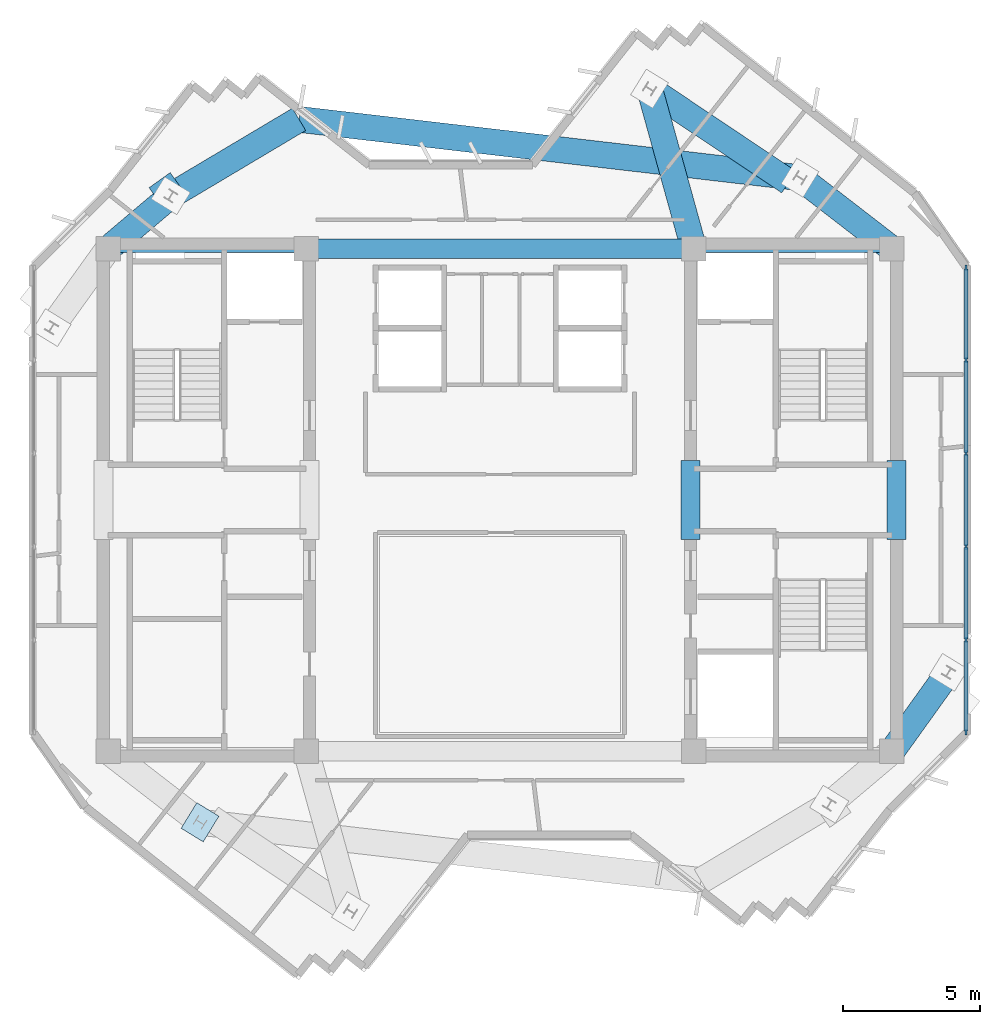
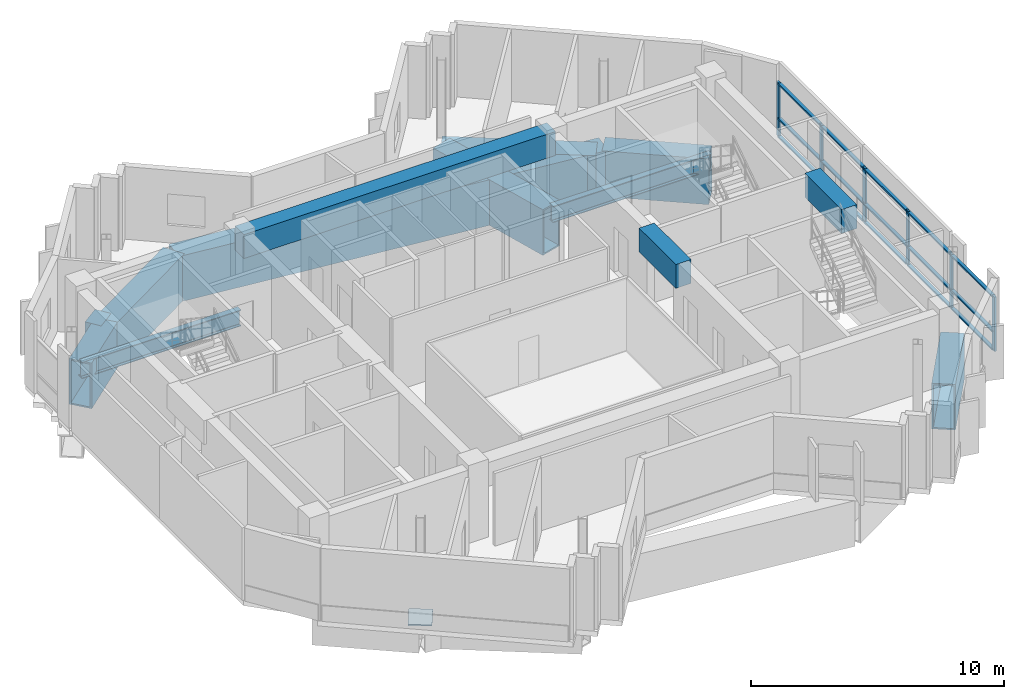
# One storey, part 3 of 10: 21 members, 13 beams, 1 plate, 1 element without a shape of its own.
"""IFC4 building model written with IfcOpenShell, lengths in metres."""

from ifc_helpers import new_model, si_unit, direction, frame, origin, origin_2d, place, context, subcontext, project, spatial, rectangle, hollow_rectangle, i_section, extrude, source, transform, mapped, material, layer, layer_set, material_profile, profile_set, type_object, element, aggregate, save


model = new_model("IFC4")

# Units and contexts
model_context = context("Model", 3, precision=1e-05, world=origin(), true_north=direction((0.0, 1.0)))
body_context = subcontext(model_context, "Body", "Model", "MODEL_VIEW")
ifc_project = project(units=[si_unit("LENGTHUNIT", "METRE"), si_unit("AREAUNIT", "SQUARE_METRE"), si_unit("VOLUMEUNIT", "CUBIC_METRE"), si_unit("PLANEANGLEUNIT", "RADIAN"), si_unit("MASSUNIT", "GRAM", prefix="KILO")], contexts=[model_context])

# Site, building, storey
site_placement = place(None, origin())
site = spatial("IfcSite", under=ifc_project, at=site_placement, CompositionType="ELEMENT")
building_placement = place(site_placement, origin())
building = spatial("IfcBuilding", under=site, at=building_placement, Name="Zahravan Cultural Tower", CompositionType="ELEMENT")
storey_placement = place(building_placement, frame((0.0, 0.0, 319.800048828125)))
storey = spatial("IfcBuildingStorey", under=building, at=storey_placement, Name="L77", CompositionType="ELEMENT", Elevation=319.800048828125)

# Beams
ifc_material_1 = material(Name="Concrete C50/60", Category="concrete")
ifc_material_profile_1 = material_profile(ifc_material_1, rectangle(XDim=0.699951171875, YDim=1.14990234375, at=origin_2d()), Name="RC700X1150")
ifc_profile_set_1 = profile_set([ifc_material_profile_1], Name="Concrete C50/60")
beam_type_1 = type_object("IfcBeamType", Name="BM-LN-RC700X1150", PredefinedType="LINTEL", material=ifc_profile_set_1)
shared_shape_1 = source(origin(), body_context, "Body", "SweptSolid", [
    extrude(rectangle(XDim=0.699951171875, YDim=1.14990234375, at=origin_2d()), origin(), (0.0, 0.0, 1.0), 14.2001953125),
])
beam_1_placement = place(storey_placement, frame((28.89990234375, 36.199951171875, 2.925048828125), z_axis=(1.0, 0.0, 0.0), x_axis=(0.0, 1.0, 0.0)))
element("IfcBeam", 1, at=beam_1_placement, inside=storey, type_object=beam_type_1, Name="L77 Beam LN-L77-N", PredefinedType="LINTEL", context=body_context, shape_type="MappedRepresentation", body=[
    mapped(shared_shape_1, transform((0.0, 0.0, 0.0), x_axis=(1.0, 0.0, 0.0), y_axis=(0.0, 1.0, 0.0), z_axis=(0.0, 0.0, 1.0), scale=1.0)),
])
shared_shape_2 = source(origin(), body_context, "Body", "SweptSolid", [
    extrude(rectangle(XDim=0.699951171875, YDim=1.14990234375, at=origin_2d()), origin(), (0.0, 0.0, 1.0), 2.89990234375),
])
for number, where, z_axis, x_axis, name in (
    (2, (42.97509765625, 25.550048828125, 2.925048828125), (0.0, 1.0, 0.0), (-1.0, 0.0, 0.0), "L77 Beam LN-L77-PEW"),
    (3, (50.52490234375, 25.550048828125, 2.925048828125), (0.0, 1.0, 0.0), (-1.0, 0.0, 0.0), "L77 Beam LN-L77-PEE"),
):
    element("IfcBeam", number, at=place(storey_placement, frame(where, z_axis=z_axis, x_axis=x_axis)), inside=storey, type_object=beam_type_1, Name=name, PredefinedType="LINTEL", context=body_context, shape_type="MappedRepresentation", body=[
        mapped(shared_shape_2, transform((0.0, 0.0, 0.0), x_axis=(1.0, 0.0, 0.0), y_axis=(0.0, 1.0, 0.0), z_axis=(0.0, 0.0, 1.0), scale=1.0)),
    ])
ifc_material_2 = material(Name="Steel ASTM A992 Grade 50", Category="steel")
ifc_material_profile_2 = material_profile(ifc_material_2, i_section(OverallWidth=0.26611328125, OverallDepth=0.780029296875, WebThickness=0.0166015625, FlangeThickness=0.030029296875, FilletRadius=0.01904296875, at=origin_2d()), Name="W30X148")
ifc_profile_set_2 = profile_set([ifc_material_profile_2], Name="Steel ASTM A992 Grade 50")
beam_type_2 = type_object("IfcBeamType", Name="BM-G-W30X148", PredefinedType="BEAM", material=ifc_profile_set_2)
shared_shape_3 = source(origin(), body_context, "Body", "SweptSolid", [
    extrude(i_section(OverallWidth=0.26611328125, OverallDepth=0.780029296875, WebThickness=0.0166015625, FlangeThickness=0.030029296875, FilletRadius=0.01904296875, at=origin_2d()), origin(), (0.0, 0.0, 1.0), 7.25),
])
for number, where, z_axis, x_axis, name in (
    (4, (21.64990234375, 36.199951171875, -0.64013671875), (1.0, 0.0, 0.0), (0.0, 1.0, 0.0), "L77 Beam BG-L77-02"),
    (5, (43.10009765625, 36.199951171875, -0.64013671875), (1.0, 0.0, 0.0), (0.0, 1.0, 0.0), "L77 Beam BG-L77-05"),
):
    element("IfcBeam", number, at=place(storey_placement, frame(where, z_axis=z_axis, x_axis=x_axis)), inside=storey, type_object=beam_type_2, Name=name, PredefinedType="BEAM", context=body_context, shape_type="MappedRepresentation", body=[
        mapped(shared_shape_3, transform((0.0, 0.0, 0.0), x_axis=(1.0, 0.0, 0.0), y_axis=(0.0, 1.0, 0.0), z_axis=(0.0, 0.0, 1.0), scale=1.0)),
    ])
ifc_material_3 = material(Name="Steel ASTM A572 Grade 50", Category="steel")
ifc_material_profile_3 = material_profile(ifc_material_3, hollow_rectangle(XDim=0.949951171875, YDim=2.199951171875, WallThickness=0.070068359375, at=origin_2d()), Name="BOX2200X950X70")
ifc_profile_set_3 = profile_set([ifc_material_profile_3], Name="Steel ASTM A572 Grade 50")
beam_type_3 = type_object("IfcBeamType", Name="BM-TR-BOX2200", PredefinedType="BEAM", material=ifc_profile_set_3)
shared_shape_4 = source(origin(), body_context, "Body", "SweptSolid", [
    extrude(hollow_rectangle(XDim=0.949951171875, YDim=2.199951171875, WallThickness=0.070068359375, at=origin_2d()), origin(), (0.0, 0.0, 1.0), 4.25341796875),
])
beam_2_placement = place(storey_placement, frame((50.35009765625, 36.199951171875, -1.35009765625), z_axis=(-0.791433936253, 0.611254713313, 0.0), x_axis=(-0.611254713313, -0.791433936253, 0.0)))
element("IfcBeam", 6, at=beam_2_placement, inside=storey, type_object=beam_type_3, Name="L77 Beam TB-L77-18", PredefinedType="BEAM", context=body_context, shape_type="MappedRepresentation", body=[
    mapped(shared_shape_4, transform((0.0, 0.0, 0.0), x_axis=(1.0, 0.0, 0.0), y_axis=(0.0, 1.0, 0.0), z_axis=(0.0, 0.0, 1.0), scale=1.0)),
])
shared_shape_5 = source(origin(), body_context, "Body", "SweptSolid", [
    extrude(hollow_rectangle(XDim=0.949951171875, YDim=2.199951171875, WallThickness=0.070068359375, at=origin_2d()), origin(), (0.0, 0.0, 1.0), 18.46533203125),
])
beam_3_placement = place(storey_placement, frame((46.98388671875, 38.7998046875, -1.35009765625), z_axis=(-0.993277892432, 0.1157541723, 0.0), x_axis=(-0.1157541723, -0.993277892432, 0.0)))
element("IfcBeam", 7, at=beam_3_placement, inside=storey, type_object=beam_type_3, Name="L77 Beam TB-L77-20", PredefinedType="BEAM", context=body_context, shape_type="MappedRepresentation", body=[
    mapped(shared_shape_5, transform((0.0, 0.0, 0.0), x_axis=(1.0, 0.0, 0.0), y_axis=(0.0, 1.0, 0.0), z_axis=(0.0, 0.0, 1.0), scale=1.0)),
])
shared_shape_6 = source(origin(), body_context, "Body", "SweptSolid", [
    extrude(hollow_rectangle(XDim=0.949951171875, YDim=2.199951171875, WallThickness=0.070068359375, at=origin_2d()), origin(), (0.0, 0.0, 1.0), 6.07958984375),
])
beam_4_placement = place(storey_placement, frame((43.10009765625, 36.199951171875, -1.35009765625), z_axis=(-0.267324894686, 0.963606455292, 0.0), x_axis=(-0.963606455292, -0.267324894686, 0.0)))
element("IfcBeam", 8, at=beam_4_placement, inside=storey, type_object=beam_type_3, Name="L77 Beam TB-L77-21", PredefinedType="BEAM", context=body_context, shape_type="MappedRepresentation", body=[
    mapped(shared_shape_6, transform((0.0, 0.0, 0.0), x_axis=(1.0, 0.0, 0.0), y_axis=(0.0, 1.0, 0.0), z_axis=(0.0, 0.0, 1.0), scale=1.0)),
])
shared_shape_7 = source(origin(), body_context, "Body", "SweptSolid", [
    extrude(hollow_rectangle(XDim=0.949951171875, YDim=2.199951171875, WallThickness=0.070068359375, at=origin_2d()), origin(), (0.0, 0.0, 1.0), 6.141845703125),
])
beam_5_placement = place(storey_placement, frame((41.474853515625, 42.058349609375, -1.35009765625), z_axis=(0.830868122194, -0.55646937339, 0.0), x_axis=(0.55646937339, 0.830868122194, 0.0)))
element("IfcBeam", 9, at=beam_5_placement, inside=storey, type_object=beam_type_3, Name="L77 Beam TB-L77-22", PredefinedType="BEAM", context=body_context, shape_type="MappedRepresentation", body=[
    mapped(shared_shape_7, transform((0.0, 0.0, 0.0), x_axis=(1.0, 0.0, 0.0), y_axis=(0.0, 1.0, 0.0), z_axis=(0.0, 0.0, 1.0), scale=1.0)),
])
shared_shape_8 = source(origin(), body_context, "Body", "SweptSolid", [
    extrude(hollow_rectangle(XDim=0.949951171875, YDim=2.199951171875, WallThickness=0.070068359375, at=origin_2d()), origin(), (0.0, 0.0, 1.0), 3.00537109375),
])
beam_6_placement = place(storey_placement, frame((21.64990234375, 36.199951171875, -1.35009765625), z_axis=(0.763546494847, 0.645752855361, 0.0), x_axis=(-0.645752855361, 0.763546494847, 0.0)))
element("IfcBeam", 10, at=beam_6_placement, inside=storey, type_object=beam_type_3, Name="L77 Beam TB-L77-24", PredefinedType="BEAM", context=body_context, shape_type="MappedRepresentation", body=[
    mapped(shared_shape_8, transform((0.0, 0.0, 0.0), x_axis=(1.0, 0.0, 0.0), y_axis=(0.0, 1.0, 0.0), z_axis=(0.0, 0.0, 1.0), scale=1.0)),
])
shared_shape_9 = source(origin(), body_context, "Body", "SweptSolid", [
    extrude(hollow_rectangle(XDim=0.949951171875, YDim=2.199951171875, WallThickness=0.070068359375, at=origin_2d()), origin(), (0.0, 0.0, 1.0), 0.701171875),
])
beam_7_placement = place(storey_placement, frame((23.944580078125, 38.140625, -1.35009765625), z_axis=(-0.582192994822, 0.81305062375, 0.0), x_axis=(-0.81305062375, -0.582192994822, 0.0)))
element("IfcBeam", 11, at=beam_7_placement, inside=storey, type_object=beam_type_3, Name="L77 Beam TB-L77-25", PredefinedType="BEAM", context=body_context, shape_type="MappedRepresentation", body=[
    mapped(shared_shape_9, transform((0.0, 0.0, 0.0), x_axis=(1.0, 0.0, 0.0), y_axis=(0.0, 1.0, 0.0), z_axis=(0.0, 0.0, 1.0), scale=1.0)),
])
shared_shape_10 = source(origin(), body_context, "Body", "SweptSolid", [
    extrude(hollow_rectangle(XDim=0.949951171875, YDim=2.199951171875, WallThickness=0.070068359375, at=origin_2d()), origin(), (0.0, 0.0, 1.0), 5.46728515625),
])
beam_8_placement = place(storey_placement, frame((23.944580078125, 38.140625, -1.35009765625), z_axis=(0.859276528913, 0.511511336003, 0.0), x_axis=(-0.511511336003, 0.859276528913, 0.0)))
element("IfcBeam", 12, at=beam_8_placement, inside=storey, type_object=beam_type_3, Name="L77 Beam TB-L77-26", PredefinedType="BEAM", context=body_context, shape_type="MappedRepresentation", body=[
    mapped(shared_shape_10, transform((0.0, 0.0, 0.0), x_axis=(1.0, 0.0, 0.0), y_axis=(0.0, 1.0, 0.0), z_axis=(0.0, 0.0, 1.0), scale=1.0)),
])
shared_shape_11 = source(origin(), body_context, "Body", "SweptSolid", [
    extrude(hollow_rectangle(XDim=0.949951171875, YDim=2.199951171875, WallThickness=0.070068359375, at=origin_2d()), origin(), (0.0, 0.0, 1.0), 3.5556640625),
])
beam_9_placement = place(storey_placement, frame((50.35009765625, 17.800048828125, -1.35009765625), z_axis=(0.58288028137, 0.812558045674, 0.0), x_axis=(-0.812558045674, 0.58288028137, 0.0)))
element("IfcBeam", 13, at=beam_9_placement, inside=storey, type_object=beam_type_3, Name="L77 Beam TB-L77-16", PredefinedType="BEAM", context=body_context, shape_type="MappedRepresentation", body=[
    mapped(shared_shape_11, transform((0.0, 0.0, 0.0), x_axis=(1.0, 0.0, 0.0), y_axis=(0.0, 1.0, 0.0), z_axis=(0.0, 0.0, 1.0), scale=1.0)),
])

# Curtain wall, members
ifc_material_4 = material(Name="Anodised bronze-aluminium mullion", Category="aluminium")
ifc_layer_1 = layer(ifc_material_4, 0.199951171875)
ifc_layer_set_1 = layer_set([ifc_layer_1], Name="Anodised bronze-aluminium mullion")
curtain_wall_type = type_object("IfcCurtainWallType", Name="CW-SYS-2", PredefinedType="USERDEFINED", material=ifc_layer_set_1)
curtain_wall_placement = place(storey_placement, origin())
curtain_wall = element("IfcCurtainWall", 14, at=curtain_wall_placement, inside=storey, type_object=curtain_wall_type, Name="L77 Recessed Curtain Wall CW-2.1", ObjectType="RECESSED GLAZING", PredefinedType="USERDEFINED")
ifc_material_profile_4 = material_profile(ifc_material_4, rectangle(XDim=0.074951171875, YDim=0.199951171875, at=origin_2d()), Name="AL-M75X200")
ifc_profile_set_4 = profile_set([ifc_material_profile_4], Name="Anodised bronze-aluminium mullion")
member_type_1 = type_object("IfcMemberType", Name="CWM-CW-2", PredefinedType="MULLION", material=ifc_profile_set_4)
shared_shape_12 = source(origin(), body_context, "Body", "SweptSolid", [
    extrude(rectangle(XDim=0.074951171875, YDim=0.199951171875, at=origin_2d()), origin(), (0.0, 0.0, 1.0), 2.619873046875),
])
member_1_placement = place(storey_placement, frame((53.06005859375, 35.50439453125, 0.0), z_axis=(0.0, 0.0, 1.0), x_axis=(1.0, 0.0, 0.0)))
member_1 = element("IfcMember", 15, at=member_1_placement, type_object=member_type_1, Name="CW-2 mullion 1", PredefinedType="MULLION", context=body_context, shape_type="MappedRepresentation", body=[
    mapped(shared_shape_12, transform((0.0, 0.0, 0.0), x_axis=(1.0, 0.0, 0.0), y_axis=(0.0, 1.0, 0.0), z_axis=(0.0, 0.0, 1.0), scale=1.0)),
])
member_2_placement = place(storey_placement, frame((53.06005859375, 32.125244140625, 0.0), z_axis=(0.0, 0.0, 1.0), x_axis=(1.0, 0.0, 0.0)))
member_2 = element("IfcMember", 16, at=member_2_placement, type_object=member_type_1, Name="CW-2 mullion 2", PredefinedType="MULLION", context=body_context, shape_type="MappedRepresentation", body=[
    mapped(shared_shape_12, transform((0.0, 0.0, 0.0), x_axis=(1.0, 0.0, 0.0), y_axis=(0.0, 1.0, 0.0), z_axis=(0.0, 0.0, 1.0), scale=1.0)),
])
member_3_placement = place(storey_placement, frame((53.06005859375, 28.70849609375, 0.0), z_axis=(0.0, 0.0, 1.0), x_axis=(1.0, 0.0, 0.0)))
member_3 = element("IfcMember", 17, at=member_3_placement, type_object=member_type_1, Name="CW-2 mullion 3", PredefinedType="MULLION", context=body_context, shape_type="MappedRepresentation", body=[
    mapped(shared_shape_12, transform((0.0, 0.0, 0.0), x_axis=(1.0, 0.0, 0.0), y_axis=(0.0, 1.0, 0.0), z_axis=(0.0, 0.0, 1.0), scale=1.0)),
])
member_4_placement = place(storey_placement, frame((53.06005859375, 25.29150390625, 0.0), z_axis=(0.0, 0.0, 1.0), x_axis=(1.0, 0.0, 0.0)))
member_4 = element("IfcMember", 18, at=member_4_placement, type_object=member_type_1, Name="CW-2 mullion 4", PredefinedType="MULLION", context=body_context, shape_type="MappedRepresentation", body=[
    mapped(shared_shape_12, transform((0.0, 0.0, 0.0), x_axis=(1.0, 0.0, 0.0), y_axis=(0.0, 1.0, 0.0), z_axis=(0.0, 0.0, 1.0), scale=1.0)),
])
member_5_placement = place(storey_placement, frame((53.06005859375, 21.874755859375, 0.0), z_axis=(0.0, 0.0, 1.0), x_axis=(1.0, 0.0, 0.0)))
member_5 = element("IfcMember", 19, at=member_5_placement, type_object=member_type_1, Name="CW-2 mullion 5", PredefinedType="MULLION", context=body_context, shape_type="MappedRepresentation", body=[
    mapped(shared_shape_12, transform((0.0, 0.0, 0.0), x_axis=(1.0, 0.0, 0.0), y_axis=(0.0, 1.0, 0.0), z_axis=(0.0, 0.0, 1.0), scale=1.0)),
])
member_6_placement = place(storey_placement, frame((53.06005859375, 18.49560546875, 0.0), z_axis=(0.0, 0.0, 1.0), x_axis=(1.0, 0.0, 0.0)))
member_6 = element("IfcMember", 20, at=member_6_placement, type_object=member_type_1, Name="CW-2 mullion 6", PredefinedType="MULLION", context=body_context, shape_type="MappedRepresentation", body=[
    mapped(shared_shape_12, transform((0.0, 0.0, 0.0), x_axis=(1.0, 0.0, 0.0), y_axis=(0.0, 1.0, 0.0), z_axis=(0.0, 0.0, 1.0), scale=1.0)),
])
ifc_material_profile_5 = material_profile(ifc_material_4, rectangle(XDim=0.14990234375, YDim=0.074951171875, at=origin_2d()), Name="AL-T75X150")
ifc_profile_set_5 = profile_set([ifc_material_profile_5], Name="Anodised bronze-aluminium mullion")
member_type_2 = type_object("IfcMemberType", Name="CWT-CW-2", PredefinedType="USERDEFINED", material=ifc_profile_set_5)
shared_shape_13 = source(origin(), body_context, "Body", "SweptSolid", [
    extrude(rectangle(XDim=0.14990234375, YDim=0.074951171875, at=origin_2d()), origin(), (0.0, 0.0, 1.0), 3.304443359375),
])
member_7_placement = place(storey_placement, frame((53.06005859375, 35.467041015625, 0.037353515625), z_axis=(0.0, -1.0, 0.0), x_axis=(1.0, 0.0, 0.0)))
member_7 = element("IfcMember", 21, at=member_7_placement, type_object=member_type_2, Name="CW-2 transom 1.1", ObjectType="TRANSOM", PredefinedType="USERDEFINED", context=body_context, shape_type="MappedRepresentation", body=[
    mapped(shared_shape_13, transform((0.0, 0.0, 0.0), x_axis=(1.0, 0.0, 0.0), y_axis=(0.0, 1.0, 0.0), z_axis=(0.0, 0.0, 1.0), scale=1.0)),
])
member_8_placement = place(storey_placement, frame((53.06005859375, 35.467041015625, 0.89990234375), z_axis=(0.0, -1.0, 0.0), x_axis=(1.0, 0.0, 0.0)))
member_8 = element("IfcMember", 22, at=member_8_placement, type_object=member_type_2, Name="CW-2 transom 1.2", ObjectType="TRANSOM", PredefinedType="USERDEFINED", context=body_context, shape_type="MappedRepresentation", body=[
    mapped(shared_shape_13, transform((0.0, 0.0, 0.0), x_axis=(1.0, 0.0, 0.0), y_axis=(0.0, 1.0, 0.0), z_axis=(0.0, 0.0, 1.0), scale=1.0)),
])
member_9_placement = place(storey_placement, frame((53.06005859375, 35.467041015625, 2.58251953125), z_axis=(0.0, -1.0, 0.0), x_axis=(1.0, 0.0, 0.0)))
member_9 = element("IfcMember", 23, at=member_9_placement, type_object=member_type_2, Name="CW-2 transom 1.3", ObjectType="TRANSOM", PredefinedType="USERDEFINED", context=body_context, shape_type="MappedRepresentation", body=[
    mapped(shared_shape_13, transform((0.0, 0.0, 0.0), x_axis=(1.0, 0.0, 0.0), y_axis=(0.0, 1.0, 0.0), z_axis=(0.0, 0.0, 1.0), scale=1.0)),
])
member_10_placement = place(storey_placement, frame((53.06005859375, 21.83740234375, 0.037353515625), z_axis=(0.0, -1.0, 0.0), x_axis=(1.0, 0.0, 0.0)))
member_10 = element("IfcMember", 24, at=member_10_placement, type_object=member_type_2, Name="CW-2 transom 5.1", ObjectType="TRANSOM", PredefinedType="USERDEFINED", context=body_context, shape_type="MappedRepresentation", body=[
    mapped(shared_shape_13, transform((0.0, 0.0, 0.0), x_axis=(1.0, 0.0, 0.0), y_axis=(0.0, 1.0, 0.0), z_axis=(0.0, 0.0, 1.0), scale=1.0)),
])
member_11_placement = place(storey_placement, frame((53.06005859375, 21.83740234375, 0.89990234375), z_axis=(0.0, -1.0, 0.0), x_axis=(1.0, 0.0, 0.0)))
member_11 = element("IfcMember", 25, at=member_11_placement, type_object=member_type_2, Name="CW-2 transom 5.2", ObjectType="TRANSOM", PredefinedType="USERDEFINED", context=body_context, shape_type="MappedRepresentation", body=[
    mapped(shared_shape_13, transform((0.0, 0.0, 0.0), x_axis=(1.0, 0.0, 0.0), y_axis=(0.0, 1.0, 0.0), z_axis=(0.0, 0.0, 1.0), scale=1.0)),
])
member_12_placement = place(storey_placement, frame((53.06005859375, 21.83740234375, 2.58251953125), z_axis=(0.0, -1.0, 0.0), x_axis=(1.0, 0.0, 0.0)))
member_12 = element("IfcMember", 26, at=member_12_placement, type_object=member_type_2, Name="CW-2 transom 5.3", ObjectType="TRANSOM", PredefinedType="USERDEFINED", context=body_context, shape_type="MappedRepresentation", body=[
    mapped(shared_shape_13, transform((0.0, 0.0, 0.0), x_axis=(1.0, 0.0, 0.0), y_axis=(0.0, 1.0, 0.0), z_axis=(0.0, 0.0, 1.0), scale=1.0)),
])
shared_shape_14 = source(origin(), body_context, "Body", "SweptSolid", [
    extrude(rectangle(XDim=0.14990234375, YDim=0.074951171875, at=origin_2d()), origin(), (0.0, 0.0, 1.0), 3.341796875),
])
member_13_placement = place(storey_placement, frame((53.06005859375, 32.087646484375, 0.037353515625), z_axis=(0.0, -1.0, 0.0), x_axis=(1.0, 0.0, 0.0)))
member_13 = element("IfcMember", 27, at=member_13_placement, type_object=member_type_2, Name="CW-2 transom 2.1", ObjectType="TRANSOM", PredefinedType="USERDEFINED", context=body_context, shape_type="MappedRepresentation", body=[
    mapped(shared_shape_14, transform((0.0, 0.0, 0.0), x_axis=(1.0, 0.0, 0.0), y_axis=(0.0, 1.0, 0.0), z_axis=(0.0, 0.0, 1.0), scale=1.0)),
])
member_14_placement = place(storey_placement, frame((53.06005859375, 32.087646484375, 0.89990234375), z_axis=(0.0, -1.0, 0.0), x_axis=(1.0, 0.0, 0.0)))
member_14 = element("IfcMember", 28, at=member_14_placement, type_object=member_type_2, Name="CW-2 transom 2.2", ObjectType="TRANSOM", PredefinedType="USERDEFINED", context=body_context, shape_type="MappedRepresentation", body=[
    mapped(shared_shape_14, transform((0.0, 0.0, 0.0), x_axis=(1.0, 0.0, 0.0), y_axis=(0.0, 1.0, 0.0), z_axis=(0.0, 0.0, 1.0), scale=1.0)),
])
member_15_placement = place(storey_placement, frame((53.06005859375, 32.087646484375, 2.58251953125), z_axis=(0.0, -1.0, 0.0), x_axis=(1.0, 0.0, 0.0)))
member_15 = element("IfcMember", 29, at=member_15_placement, type_object=member_type_2, Name="CW-2 transom 2.3", ObjectType="TRANSOM", PredefinedType="USERDEFINED", context=body_context, shape_type="MappedRepresentation", body=[
    mapped(shared_shape_14, transform((0.0, 0.0, 0.0), x_axis=(1.0, 0.0, 0.0), y_axis=(0.0, 1.0, 0.0), z_axis=(0.0, 0.0, 1.0), scale=1.0)),
])
member_16_placement = place(storey_placement, frame((53.06005859375, 28.6708984375, 0.037353515625), z_axis=(0.0, -1.0, 0.0), x_axis=(1.0, 0.0, 0.0)))
member_16 = element("IfcMember", 30, at=member_16_placement, type_object=member_type_2, Name="CW-2 transom 3.1", ObjectType="TRANSOM", PredefinedType="USERDEFINED", context=body_context, shape_type="MappedRepresentation", body=[
    mapped(shared_shape_14, transform((0.0, 0.0, 0.0), x_axis=(1.0, 0.0, 0.0), y_axis=(0.0, 1.0, 0.0), z_axis=(0.0, 0.0, 1.0), scale=1.0)),
])
member_17_placement = place(storey_placement, frame((53.06005859375, 28.6708984375, 0.89990234375), z_axis=(0.0, -1.0, 0.0), x_axis=(1.0, 0.0, 0.0)))
member_17 = element("IfcMember", 31, at=member_17_placement, type_object=member_type_2, Name="CW-2 transom 3.2", ObjectType="TRANSOM", PredefinedType="USERDEFINED", context=body_context, shape_type="MappedRepresentation", body=[
    mapped(shared_shape_14, transform((0.0, 0.0, 0.0), x_axis=(1.0, 0.0, 0.0), y_axis=(0.0, 1.0, 0.0), z_axis=(0.0, 0.0, 1.0), scale=1.0)),
])
member_18_placement = place(storey_placement, frame((53.06005859375, 28.6708984375, 2.58251953125), z_axis=(0.0, -1.0, 0.0), x_axis=(1.0, 0.0, 0.0)))
member_18 = element("IfcMember", 32, at=member_18_placement, type_object=member_type_2, Name="CW-2 transom 3.3", ObjectType="TRANSOM", PredefinedType="USERDEFINED", context=body_context, shape_type="MappedRepresentation", body=[
    mapped(shared_shape_14, transform((0.0, 0.0, 0.0), x_axis=(1.0, 0.0, 0.0), y_axis=(0.0, 1.0, 0.0), z_axis=(0.0, 0.0, 1.0), scale=1.0)),
])
member_19_placement = place(storey_placement, frame((53.06005859375, 25.254150390625, 0.037353515625), z_axis=(0.0, -1.0, 0.0), x_axis=(1.0, 0.0, 0.0)))
member_19 = element("IfcMember", 33, at=member_19_placement, type_object=member_type_2, Name="CW-2 transom 4.1", ObjectType="TRANSOM", PredefinedType="USERDEFINED", context=body_context, shape_type="MappedRepresentation", body=[
    mapped(shared_shape_14, transform((0.0, 0.0, 0.0), x_axis=(1.0, 0.0, 0.0), y_axis=(0.0, 1.0, 0.0), z_axis=(0.0, 0.0, 1.0), scale=1.0)),
])
member_20_placement = place(storey_placement, frame((53.06005859375, 25.254150390625, 0.89990234375), z_axis=(0.0, -1.0, 0.0), x_axis=(1.0, 0.0, 0.0)))
member_20 = element("IfcMember", 34, at=member_20_placement, type_object=member_type_2, Name="CW-2 transom 4.2", ObjectType="TRANSOM", PredefinedType="USERDEFINED", context=body_context, shape_type="MappedRepresentation", body=[
    mapped(shared_shape_14, transform((0.0, 0.0, 0.0), x_axis=(1.0, 0.0, 0.0), y_axis=(0.0, 1.0, 0.0), z_axis=(0.0, 0.0, 1.0), scale=1.0)),
])
member_21_placement = place(storey_placement, frame((53.06005859375, 25.254150390625, 2.58251953125), z_axis=(0.0, -1.0, 0.0), x_axis=(1.0, 0.0, 0.0)))
member_21 = element("IfcMember", 35, at=member_21_placement, type_object=member_type_2, Name="CW-2 transom 4.3", ObjectType="TRANSOM", PredefinedType="USERDEFINED", context=body_context, shape_type="MappedRepresentation", body=[
    mapped(shared_shape_14, transform((0.0, 0.0, 0.0), x_axis=(1.0, 0.0, 0.0), y_axis=(0.0, 1.0, 0.0), z_axis=(0.0, 0.0, 1.0), scale=1.0)),
])
aggregate(curtain_wall, [member_1, member_2, member_3, member_4, member_5, member_6, member_7, member_8, member_9, member_13, member_14, member_15, member_16, member_17, member_18, member_19, member_20, member_21, member_10, member_11, member_12])

# Plate
ifc_layer_2 = layer(ifc_material_3, 0.06005859375)
ifc_layer_set_2 = layer_set([ifc_layer_2], Name="Steel ASTM A572 Grade 50")
plate_type = type_object("IfcPlateType", Name="PL-NODE-60", PredefinedType="SHEET", material=ifc_layer_set_2)
shared_shape_15 = source(origin(), body_context, "Body", "SweptSolid", [
    extrude(rectangle(XDim=1.10009765625, YDim=0.949951171875, at=origin_2d()), origin(), (0.0, 0.0, 1.0), 0.06005859375),
])
plate_placement = place(storey_placement, frame((25.01611328125, 15.2001953125, -1.080078125), z_axis=(0.0, 0.0, 1.0), x_axis=(0.522498564716, 0.852640164354, 0.0)))
element("IfcPlate", 36, at=plate_placement, inside=storey, type_object=plate_type, Name="L77 Transfer Node Plate TN2", PredefinedType="SHEET", context=body_context, shape_type="MappedRepresentation", body=[
    mapped(shared_shape_15, transform((0.0, 0.0, 0.0), x_axis=(1.0, 0.0, 0.0), y_axis=(0.0, 1.0, 0.0), z_axis=(0.0, 0.0, 1.0), scale=1.0)),
])

save(model, "model.ifc")
